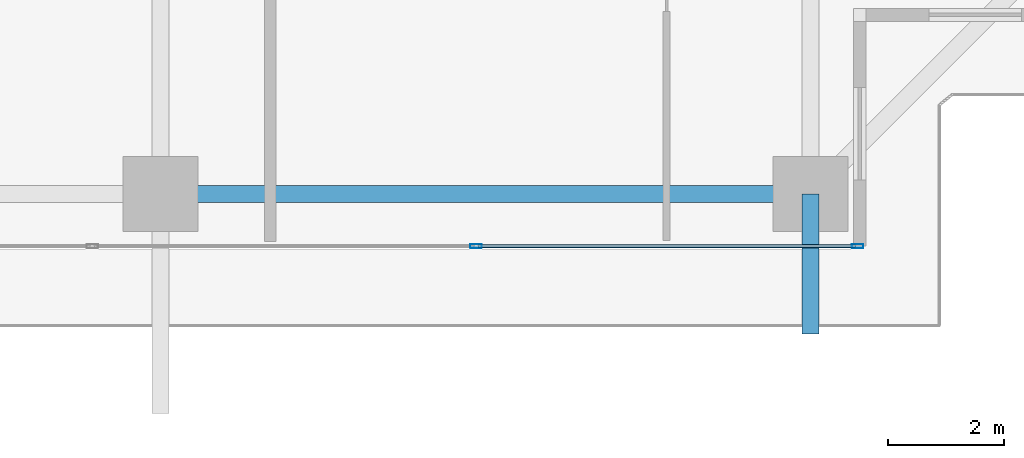
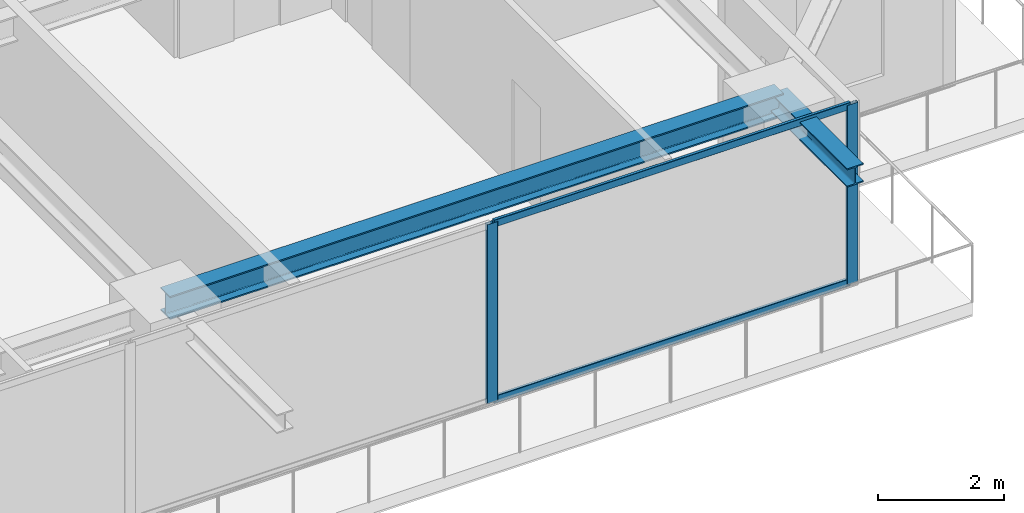
# One storey, part 12 of 37: 4 members, 2 beams, 1 element without a shape of its own.
"""IFC4 building model written with IfcOpenShell, lengths in metres."""

from ifc_helpers import new_model, si_unit, direction, frame, origin, origin_2d, place, context, subcontext, project, spatial, hollow_rectangle, i_section, extrude, source, transform, mapped, material, layer, layer_set, material_profile, profile_set, type_object, element, aggregate, save


model = new_model("IFC4")

# Units and contexts
model_context = context("Model", 3, precision=1e-05, world=origin(), true_north=direction((0.0, 1.0)))
body_context = subcontext(model_context, "Body", "Model", "MODEL_VIEW")
ifc_project = project(units=[si_unit("LENGTHUNIT", "METRE"), si_unit("AREAUNIT", "SQUARE_METRE"), si_unit("VOLUMEUNIT", "CUBIC_METRE"), si_unit("PLANEANGLEUNIT", "RADIAN"), si_unit("MASSUNIT", "GRAM", prefix="KILO")], contexts=[model_context])

# Site, building, storey
site_placement = place(None, origin())
site = spatial("IfcSite", under=ifc_project, at=site_placement, CompositionType="ELEMENT")
building_placement = place(site_placement, origin())
building = spatial("IfcBuilding", under=site, at=building_placement, Name="Serunith Strait Residences", CompositionType="ELEMENT")
storey_placement = place(building_placement, frame((0.0, 0.0, 138.89990234375)))
storey = spatial("IfcBuildingStorey", under=building, at=storey_placement, Name="L34", CompositionType="ELEMENT", Elevation=138.89990234375)

# Beams
ifc_material_1 = material(Name="Steel S355J2", Category="steel")
ifc_material_profile_1 = material_profile(ifc_material_1, i_section(OverallWidth=0.300048828125, OverallDepth=0.449951171875, WebThickness=0.013916015625, FlangeThickness=0.02587890625, FilletRadius=0.027099609375, at=origin_2d()), Name="HEB 450")
ifc_profile_set_1 = profile_set([ifc_material_profile_1], Name="Steel S355J2")
beam_type_1 = type_object("IfcBeamType", Name="BM-HEB450", PredefinedType="BEAM", material=ifc_profile_set_1)
shared_shape_1 = source(origin(), body_context, "Body", "SweptSolid", [
    extrude(i_section(OverallWidth=0.300048828125, OverallDepth=0.449951171875, WebThickness=0.013916015625, FlangeThickness=0.02587890625, FilletRadius=0.027099609375, at=origin_2d()), origin(), (0.0, 0.0, 1.0), 11.25),
])
beam_1_placement = place(storey_placement, frame((36.89990234375, 2.300048828125, 3.26220703125), z_axis=(1.0, 0.0, 0.0), x_axis=(0.0, 1.0, 0.0)))
element("IfcBeam", 1, at=beam_1_placement, inside=storey, type_object=beam_type_1, Name="L34 Perimeter Ring Beam 03", PredefinedType="BEAM", context=body_context, shape_type="MappedRepresentation", body=[
    mapped(shared_shape_1, transform((0.0, 0.0, 0.0), scale=1.0)),
])
ifc_material_profile_2 = material_profile(ifc_material_1, i_section(OverallWidth=0.300048828125, OverallDepth=0.360107421875, WebThickness=0.012451171875, FlangeThickness=0.0224609375, FilletRadius=0.027099609375, at=origin_2d()), Name="HEB 360")
ifc_profile_set_2 = profile_set([ifc_material_profile_2], Name="Steel S355J2")
beam_type_2 = type_object("IfcBeamType", Name="BM-HEB360", PredefinedType="BEAM", material=ifc_profile_set_2)
shared_shape_2 = source(origin(), body_context, "Body", "SweptSolid", [
    extrude(i_section(OverallWidth=0.300048828125, OverallDepth=0.360107421875, WebThickness=0.012451171875, FlangeThickness=0.0224609375, FilletRadius=0.027099609375, at=origin_2d()), origin(), (0.0, 0.0, 1.0), 2.42529296875),
])
beam_2_placement = place(storey_placement, frame((48.14990234375, 2.300048828125, 3.277099609375), z_axis=(0.0, -1.0, 0.0), x_axis=(1.0, 0.0, 0.0)))
element("IfcBeam", 2, at=beam_2_placement, inside=storey, type_object=beam_type_2, Name="L35 Cantilevered Balcony Rib TC-S4", PredefinedType="BEAM", context=body_context, shape_type="MappedRepresentation", body=[
    mapped(shared_shape_2, transform((0.0, 0.0, 0.0), scale=1.0)),
])

# Curtain wall, members
ifc_material_2 = material(Name="Pale-Champagne Anodised Aluminium", Category="aluminium")
ifc_layer = layer(ifc_material_2, 0.199951171875, Name="Pale-Champagne Anodised Aluminium")
ifc_layer_set = layer_set([ifc_layer], Name="Pale-Champagne Anodised Aluminium")
curtain_wall_type = type_object("IfcCurtainWallType", Name="CW-SYS2", PredefinedType="NOTDEFINED", material=ifc_layer_set)
curtain_wall_placement = place(storey_placement, origin())
curtain_wall = element("IfcCurtainWall", 3, at=curtain_wall_placement, inside=storey, type_object=curtain_wall_type, Name="L34 S Unitised Fritted Curtain Wall", PredefinedType="NOTDEFINED")
ifc_material_profile_3 = material_profile(ifc_material_2, hollow_rectangle(XDim=0.070068359375, YDim=0.199951171875, WallThickness=0.00390625, InnerFilletRadius=0.006103515625, OuterFilletRadius=0.010009765625, at=origin_2d()), Name="ALU 200x70x4")
ifc_profile_set_3 = profile_set([ifc_material_profile_3], Name="Pale-Champagne Anodised Aluminium")
member_type_1 = type_object("IfcMemberType", Name="CW-SYS2-MULL", PredefinedType="MULLION", material=ifc_profile_set_3)
shared_shape_3 = source(origin(), body_context, "Body", "SweptSolid", [
    extrude(hollow_rectangle(XDim=0.070068359375, YDim=0.199951171875, WallThickness=0.00390625, InnerFilletRadius=0.006103515625, OuterFilletRadius=0.010009765625, at=origin_2d()), origin(), (0.0, 0.0, 1.0), 3.47509765625),
])
member_1_placement = place(storey_placement, frame((42.360107421875, 1.39990234375, 0.0), z_axis=(0.0, 0.0, 1.0), x_axis=(0.0, 1.0, 0.0)))
member_1 = element("IfcMember", 4, at=member_1_placement, type_object=member_type_1, Name="CW-2 mullion 5", PredefinedType="MULLION", context=body_context, shape_type="MappedRepresentation", body=[
    mapped(shared_shape_3, transform((0.0, 0.0, 0.0), scale=1.0)),
])
member_2_placement = place(storey_placement, frame((48.965087890625, 1.39990234375, 0.0), z_axis=(0.0, 0.0, 1.0), x_axis=(0.0, 1.0, 0.0)))
member_2 = element("IfcMember", 5, at=member_2_placement, type_object=member_type_1, Name="CW-2 mullion 6", PredefinedType="MULLION", context=body_context, shape_type="MappedRepresentation", body=[
    mapped(shared_shape_3, transform((0.0, 0.0, 0.0), scale=1.0)),
])
ifc_material_profile_4 = material_profile(ifc_material_2, hollow_rectangle(XDim=0.06005859375, YDim=0.139892578125, WallThickness=0.00341796875, InnerFilletRadius=0.00537109375, OuterFilletRadius=0.0087890625, at=origin_2d()), Name="ALU 140x60x3.5")
ifc_profile_set_4 = profile_set([ifc_material_profile_4], Name="Pale-Champagne Anodised Aluminium")
member_type_2 = type_object("IfcMemberType", Name="CW-SYS2-TRAN", PredefinedType="USERDEFINED", material=ifc_profile_set_4)
shared_shape_4 = source(origin(), body_context, "Body", "SweptSolid", [
    extrude(hollow_rectangle(XDim=0.06005859375, YDim=0.139892578125, WallThickness=0.00341796875, InnerFilletRadius=0.00537109375, OuterFilletRadius=0.0087890625, at=origin_2d()), origin(), (0.0, 0.0, 1.0), 6.534912109375),
])
member_3_placement = place(storey_placement, frame((42.39501953125, 1.39990234375, 0.030029296875), z_axis=(1.0, 0.0, 0.0), x_axis=(0.0, 1.0, 0.0)))
member_3 = element("IfcMember", 6, at=member_3_placement, type_object=member_type_2, Name="CW-2 transom 5.1", ObjectType="TRANSOM", PredefinedType="USERDEFINED", context=body_context, shape_type="MappedRepresentation", body=[
    mapped(shared_shape_4, transform((0.0, 0.0, 0.0), scale=1.0)),
])
member_4_placement = place(storey_placement, frame((42.39501953125, 1.39990234375, 3.445068359375), z_axis=(1.0, 0.0, 0.0), x_axis=(0.0, 1.0, 0.0)))
member_4 = element("IfcMember", 7, at=member_4_placement, type_object=member_type_2, Name="CW-2 transom 5.2", ObjectType="TRANSOM", PredefinedType="USERDEFINED", context=body_context, shape_type="MappedRepresentation", body=[
    mapped(shared_shape_4, transform((0.0, 0.0, 0.0), scale=1.0)),
])
aggregate(curtain_wall, [member_1, member_2, member_3, member_4])

save(model, "model.ifc")
